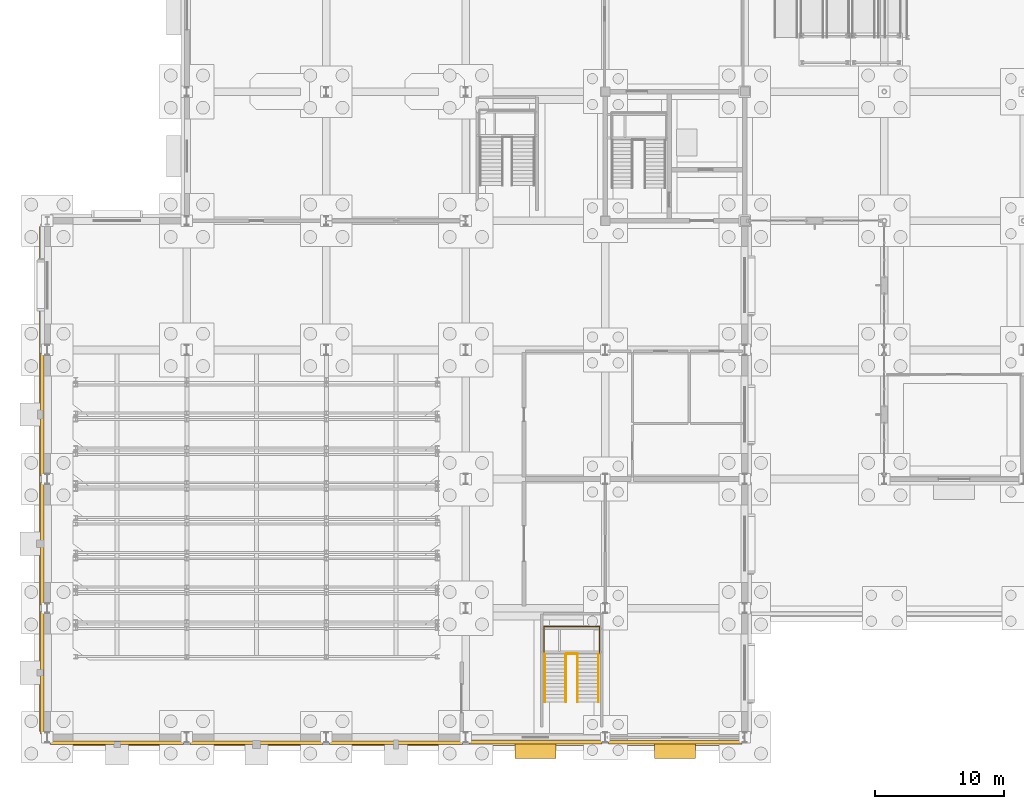
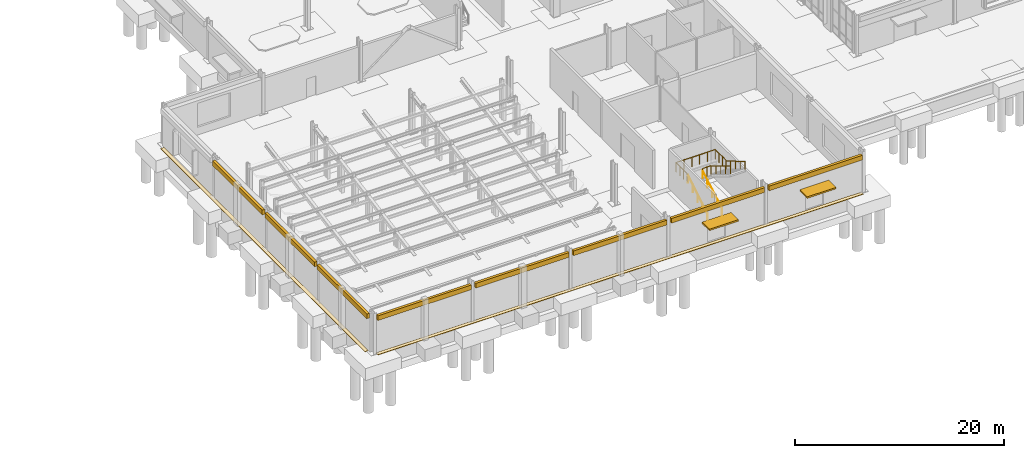
# One storey, part 60 of 73: 10 coverings, 6 railings, 2 shading devices.
"""IFC4 building model written with IfcOpenShell, lengths in metres."""

from ifc_helpers import new_model, si_unit, direction, frame, origin, origin_2d, place, context, subcontext, project, spatial, rectangle, circle, extrude, material, layer, layer_set, type_object, element, save


model = new_model("IFC4")

# Units and contexts
model_context = context("Model", 3, precision=1e-05, world=origin(), true_north=direction((0.0, 1.0)))
body_context = subcontext(model_context, "Body", "Model", "MODEL_VIEW")
ifc_project = project(units=[si_unit("LENGTHUNIT", "METRE"), si_unit("AREAUNIT", "SQUARE_METRE"), si_unit("VOLUMEUNIT", "CUBIC_METRE"), si_unit("PLANEANGLEUNIT", "RADIAN"), si_unit("MASSUNIT", "GRAM", prefix="KILO")], contexts=[model_context])

# Site, building, storey
site_placement = place(None, origin())
site = spatial("IfcSite", under=ifc_project, at=site_placement, CompositionType="ELEMENT")
building_placement = place(site_placement, origin())
building = spatial("IfcBuilding", under=site, at=building_placement, Name="Tasgan Crest Museum", CompositionType="ELEMENT")
storey_placement = place(building_placement, origin())
storey = spatial("IfcBuildingStorey", under=building, at=storey_placement, Name="L00", CompositionType="ELEMENT", Elevation=0.0)

# Coverings
ifc_material_1 = material(Name="Honed Rose-Red Mongolian Granite", Category="masonry")
ifc_layer_1 = layer(ifc_material_1, 0.0400390625, Name="COV-GRANITE-ROSE")
ifc_layer_set_1 = layer_set([ifc_layer_1], Name="Honed Rose-Red Mongolian Granite")
covering_type_1 = type_object("IfcCoveringType", Name="COV-GRANITE-ROSE", PredefinedType="CLADDING", material=ifc_layer_set_1)
for number, where, z_axis, x_axis, name in (
    (1, (37.800048828125, -0.3798828125, 3.9599609375), (0.0, 0.0, 1.0), (1.0, 0.0, 0.0), "Stone frieze cladding L00"),
    (2, (48.60009765625, -0.3798828125, 3.9599609375), (0.0, 0.0, 1.0), (1.0, 0.0, 0.0), "Stone frieze cladding L00"),
):
    element("IfcCovering", number, at=place(storey_placement, frame(where, z_axis=z_axis, x_axis=x_axis)), inside=storey, type_object=covering_type_1, Name=name, PredefinedType="CLADDING", context=body_context, shape_type="SweptSolid", body=[
        extrude(rectangle(XDim=10.31005859375, YDim=0.280029296875, at=origin_2d()), origin(), (0.0, 0.0, 1.0), 0.550048828125),
    ])
ifc_material_2 = material(Name="Honed Buff Limestone", Category="masonry")
ifc_layer_2 = layer(ifc_material_2, 0.044921875, Name="COV-LIMESTONE-BUFF")
ifc_layer_set_2 = layer_set([ifc_layer_2], Name="Honed Buff Limestone")
covering_type_2 = type_object("IfcCoveringType", Name="COV-LIMESTONE-BUFF", PredefinedType="CLADDING", material=ifc_layer_set_2)
covering_1_placement = place(storey_placement, frame((27.0, -0.429931640625, -0.02001953125), z_axis=(0.0, 0.0, 1.0), x_axis=(1.0, 0.0, 0.0)))
element("IfcCovering", 3, at=covering_1_placement, inside=storey, type_object=covering_type_2, Name="Hillside plinth stone coping S-AUD", PredefinedType="CLADDING", context=body_context, shape_type="SweptSolid", body=[
    extrude(rectangle(XDim=53.60009765625, YDim=0.3798828125, at=origin_2d()), origin(), (0.0, 0.0, 1.0), 0.050048828125),
])
covering_2_placement = place(storey_placement, frame((-0.429931640625, 20.0, -0.02001953125), z_axis=(0.0, 0.0, 1.0), x_axis=(0.0, 1.0, 0.0)))
element("IfcCovering", 4, at=covering_2_placement, inside=storey, type_object=covering_type_2, Name="Hillside plinth stone coping W-AUD", PredefinedType="CLADDING", context=body_context, shape_type="SweptSolid", body=[
    extrude(rectangle(XDim=39.10009765625, YDim=0.3798828125, at=origin_2d()), origin(), (0.0, 0.0, 1.0), 0.050048828125),
])
for number, where, z_axis, x_axis, name in (
    (5, (-0.39990234375, 25.0, 3.9599609375), (0.0, 0.0, 1.0), (0.0, -1.0, 0.0), "Stone frieze cladding L00"),
    (6, (-0.39990234375, 15.0, 3.9599609375), (0.0, 0.0, 1.0), (0.0, -1.0, 0.0), "Stone frieze cladding L00"),
    (7, (-0.39990234375, 5.0, 3.9599609375), (0.0, 0.0, 1.0), (0.0, -1.0, 0.0), "Stone frieze cladding L00"),
):
    element("IfcCovering", number, at=place(storey_placement, frame(where, z_axis=z_axis, x_axis=x_axis)), inside=storey, type_object=covering_type_2, Name=name, PredefinedType="CLADDING", context=body_context, shape_type="SweptSolid", body=[
        extrude(rectangle(XDim=9.510009765625, YDim=0.280029296875, at=origin_2d()), origin(), (0.0, 0.0, 1.0), 0.550048828125),
    ])
for number, where, z_axis, x_axis, name in (
    (8, (5.39990234375, -0.39990234375, 3.9599609375), (0.0, 0.0, 1.0), (1.0, 0.0, 0.0), "Stone frieze cladding L00"),
    (9, (16.199951171875, -0.39990234375, 3.9599609375), (0.0, 0.0, 1.0), (1.0, 0.0, 0.0), "Stone frieze cladding L00"),
    (10, (27.0, -0.39990234375, 3.9599609375), (0.0, 0.0, 1.0), (1.0, 0.0, 0.0), "Stone frieze cladding L00"),
):
    element("IfcCovering", number, at=place(storey_placement, frame(where, z_axis=z_axis, x_axis=x_axis)), inside=storey, type_object=covering_type_2, Name=name, PredefinedType="CLADDING", context=body_context, shape_type="SweptSolid", body=[
        extrude(rectangle(XDim=10.31005859375, YDim=0.280029296875, at=origin_2d()), origin(), (0.0, 0.0, 1.0), 0.550048828125),
    ])

# Railings
ifc_material_3 = material(Name="Brushed Bronze and Toughened Glass", Category="glass")
railing_type_1 = type_object("IfcRailingType", Name="RL-INT-GUARD-1120", PredefinedType="GUARDRAIL", material=ifc_material_3)
railing_1_placement = place(storey_placement, frame((40.139892578125, 6.47509765625, 2.39990234375)))
element("IfcRailing", 11, at=railing_1_placement, inside=storey, type_object=railing_type_1, Name="Stair half-landing well guard ST-FS-L00 T1", PredefinedType="GUARDRAIL", context=body_context, shape_type="SweptSolid", body=[
    extrude(circle(Radius=0.02392578125, at=origin_2d()), frame((0.0, 0.0, 1.09619140625), z_axis=(1.0, 0.0, 0.0), x_axis=(0.0, 1.0, 0.0)), (0.0, 0.0, 1.0), 0.920166015625),
    extrude(circle(Radius=0.02099609375, at=origin_2d()), origin(), (0.0, 0.0, 1.0), 1.072021484375),
    extrude(circle(Radius=0.02099609375, at=origin_2d()), frame((0.4599609375, 0.0, 0.0)), (0.0, 0.0, 1.0), 1.072021484375),
    extrude(circle(Radius=0.02099609375, at=origin_2d()), frame((0.920166015625, 0.0, 0.0)), (0.0, 0.0, 1.0), 1.072021484375),
])
railing_2_placement = place(storey_placement, frame((38.43994140625, 6.4951171875, 2.39990234375)))
element("IfcRailing", 12, at=railing_2_placement, inside=storey, type_object=railing_type_1, Name="Stair half-landing perimeter guard ST-FS-L00 T1", PredefinedType="GUARDRAIL", context=body_context, shape_type="SweptSolid", body=[
    extrude(circle(Radius=0.02392578125, at=origin_2d()), frame((0.0, 0.0, 1.09619140625), z_axis=(0.0, 1.0, 0.0), x_axis=(-1.0, 0.0, 0.0)), (0.0, 0.0, 1.0), 2.099853515625),
    extrude(circle(Radius=0.02392578125, at=origin_2d()), frame((0.0, 2.099853515625, 1.09619140625), z_axis=(1.0, 0.0, 0.0), x_axis=(0.0, 1.0, 0.0)), (0.0, 0.0, 1.0), 4.320068359375),
    extrude(circle(Radius=0.02392578125, at=origin_2d()), frame((4.320068359375, 2.099853515625, 1.09619140625), z_axis=(0.0, -1.0, 0.0), x_axis=(1.0, 0.0, 0.0)), (0.0, 0.0, 1.0), 2.099853515625),
    extrude(circle(Radius=0.02099609375, at=origin_2d()), origin(), (0.0, 0.0, 1.0), 1.072021484375),
    extrude(circle(Radius=0.02099609375, at=origin_2d()), frame((0.0, 0.699951171875, 0.0)), (0.0, 0.0, 1.0), 1.072021484375),
    extrude(circle(Radius=0.02099609375, at=origin_2d()), frame((0.0, 1.39990234375, 0.0)), (0.0, 0.0, 1.0), 1.072021484375),
    extrude(circle(Radius=0.02099609375, at=origin_2d()), frame((0.0, 2.099853515625, 0.0)), (0.0, 0.0, 1.0), 1.072021484375),
    extrude(circle(Radius=0.02099609375, at=origin_2d()), frame((0.864013671875, 2.099853515625, 0.0)), (0.0, 0.0, 1.0), 1.072021484375),
    extrude(circle(Radius=0.02099609375, at=origin_2d()), frame((1.72802734375, 2.099853515625, 0.0)), (0.0, 0.0, 1.0), 1.072021484375),
    extrude(circle(Radius=0.02099609375, at=origin_2d()), frame((2.592041015625, 2.099853515625, 0.0)), (0.0, 0.0, 1.0), 1.072021484375),
    extrude(circle(Radius=0.02099609375, at=origin_2d()), frame((3.4560546875, 2.099853515625, 0.0)), (0.0, 0.0, 1.0), 1.072021484375),
    extrude(circle(Radius=0.02099609375, at=origin_2d()), frame((4.320068359375, 2.099853515625, 0.0)), (0.0, 0.0, 1.0), 1.072021484375),
    extrude(circle(Radius=0.02099609375, at=origin_2d()), frame((4.320068359375, 1.39990234375, 0.0)), (0.0, 0.0, 1.0), 1.072021484375),
    extrude(circle(Radius=0.02099609375, at=origin_2d()), frame((4.320068359375, 0.699951171875, 0.0)), (0.0, 0.0, 1.0), 1.072021484375),
    extrude(circle(Radius=0.02099609375, at=origin_2d()), frame((4.320068359375, 0.0, 0.0)), (0.0, 0.0, 1.0), 1.072021484375),
])
ifc_material_4 = material(Name="Brushed Stainless Steel", Category="steel")
railing_type_2 = type_object("IfcRailingType", Name="RL-STAIR-HAND-920", PredefinedType="HANDRAIL", material=ifc_material_4)
for number, where, name in (
    (13, (38.52001953125, 2.75, 0.17138671875), "Stair handrail STAIR-FOYS-L00-F1 L"),
    (14, (40.139892578125, 2.75, 0.17138671875), "Stair handrail STAIR-FOYS-L00-F1 R"),
):
    element("IfcRailing", number, at=place(storey_placement, frame(where)), inside=storey, type_object=railing_type_2, Name=name, PredefinedType="HANDRAIL", context=body_context, shape_type="SweptSolid", body=[
        extrude(circle(Radius=0.02392578125, at=origin_2d()), frame((0.0, 0.0, 0.89599609375), z_axis=(0.0, 0.856934400257, 0.515425487977), x_axis=(-1.0, 0.0, 0.0)), (0.0, 0.0, 1.0), 4.32373046875),
        extrude(circle(Radius=0.02099609375, at=origin_2d()), origin(), (0.0, 0.0, 1.0), 0.871826171875),
        extrude(circle(Radius=0.02099609375, at=origin_2d()), frame((0.0, 0.92626953125, 0.55712890625)), (0.0, 0.0, 1.0), 0.871826171875),
        extrude(circle(Radius=0.02099609375, at=origin_2d()), frame((0.0, 1.8525390625, 1.1142578125)), (0.0, 0.0, 1.0), 0.871826171875),
        extrude(circle(Radius=0.02099609375, at=origin_2d()), frame((0.0, 2.77880859375, 1.67138671875)), (0.0, 0.0, 1.0), 0.871826171875),
        extrude(circle(Radius=0.02099609375, at=origin_2d()), frame((0.0, 3.705078125, 2.228515625)), (0.0, 0.0, 1.0), 0.871826171875),
    ])
for number, where, name in (
    (15, (42.679931640625, 6.455078125, 2.5712890625), "Stair handrail STAIR-FOYS-L00-F2 L"),
    (16, (41.06005859375, 6.455078125, 2.5712890625), "Stair handrail STAIR-FOYS-L00-F2 R"),
):
    element("IfcRailing", number, at=place(storey_placement, frame(where)), inside=storey, type_object=railing_type_2, Name=name, PredefinedType="HANDRAIL", context=body_context, shape_type="SweptSolid", body=[
        extrude(circle(Radius=0.02392578125, at=origin_2d()), frame((0.0, 0.0, 0.89599609375), z_axis=(0.0, -0.856909459561, 0.515466951525), x_axis=(1.0, 0.0, 0.0)), (0.0, 0.0, 1.0), 4.32373046875),
        extrude(circle(Radius=0.02099609375, at=origin_2d()), origin(), (0.0, 0.0, 1.0), 0.871826171875),
        extrude(circle(Radius=0.02099609375, at=origin_2d()), frame((0.0, -0.92626953125, 0.55712890625)), (0.0, 0.0, 1.0), 0.871826171875),
        extrude(circle(Radius=0.02099609375, at=origin_2d()), frame((0.0, -1.8525390625, 1.1142578125)), (0.0, 0.0, 1.0), 0.871826171875),
        extrude(circle(Radius=0.02099609375, at=origin_2d()), frame((0.0, -2.77880859375, 1.671630859375)), (0.0, 0.0, 1.0), 0.871826171875),
        extrude(circle(Radius=0.02099609375, at=origin_2d()), frame((0.0, -3.705078125, 2.228759765625)), (0.0, 0.0, 1.0), 0.871826171875),
    ])

# Shading devices
ifc_material_5 = material(Name="Galvanised Steel Snow Canopy", Category="steel")
shading_device_type = type_object("IfcShadingDeviceType", Name="SH-AWNING-SNOW", PredefinedType="AWNING", material=ifc_material_5)
for number, where, z_axis, x_axis, name in (
    (17, (37.800048828125, -0.93994140625, 2.51025390625), (0.0, 0.0, 1.0), (1.0, 0.0, 0.0), "Entrance snow canopy ED001"),
    (18, (48.60009765625, -0.93994140625, 2.51025390625), (0.0, 0.0, 1.0), (1.0, 0.0, 0.0), "Entrance snow canopy ED002"),
):
    element("IfcShadingDevice", number, at=place(storey_placement, frame(where, z_axis=z_axis, x_axis=x_axis)), inside=storey, type_object=shading_device_type, Name=name, PredefinedType="AWNING", context=body_context, shape_type="SweptSolid", body=[
        extrude(rectangle(XDim=3.199951171875, YDim=1.39990234375, at=origin_2d()), origin(), (0.0, 0.0, 1.0), 0.179931640625),
    ])

save(model, "model.ifc")
